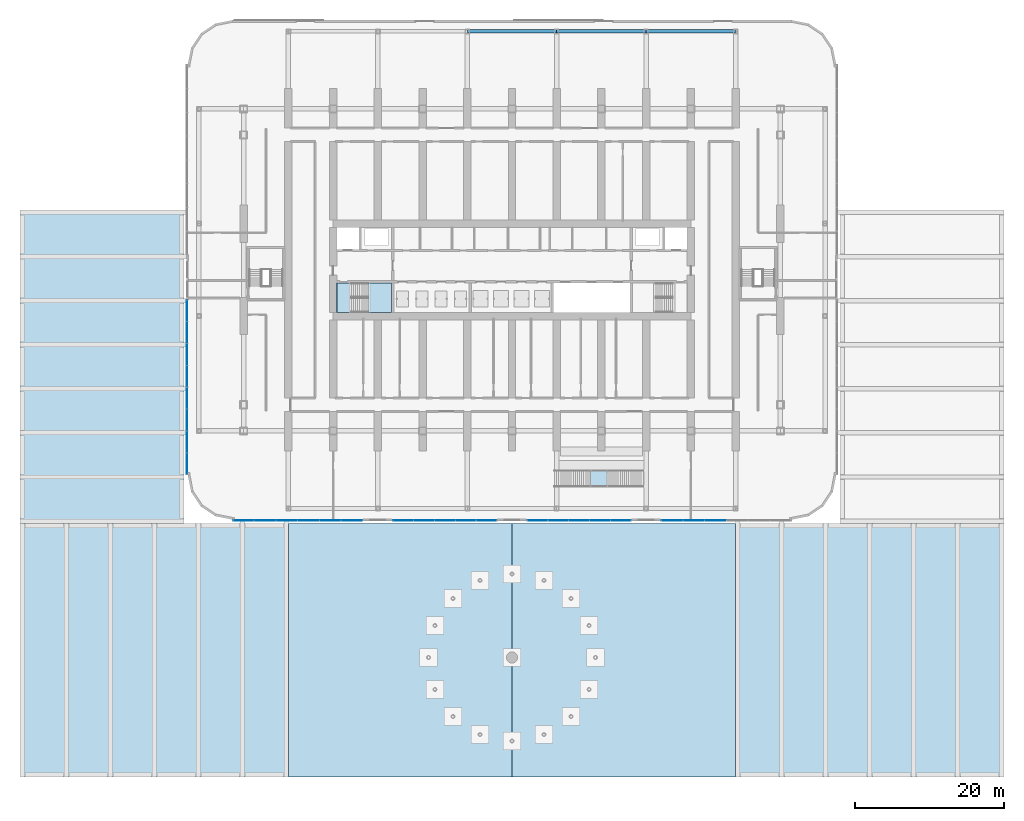
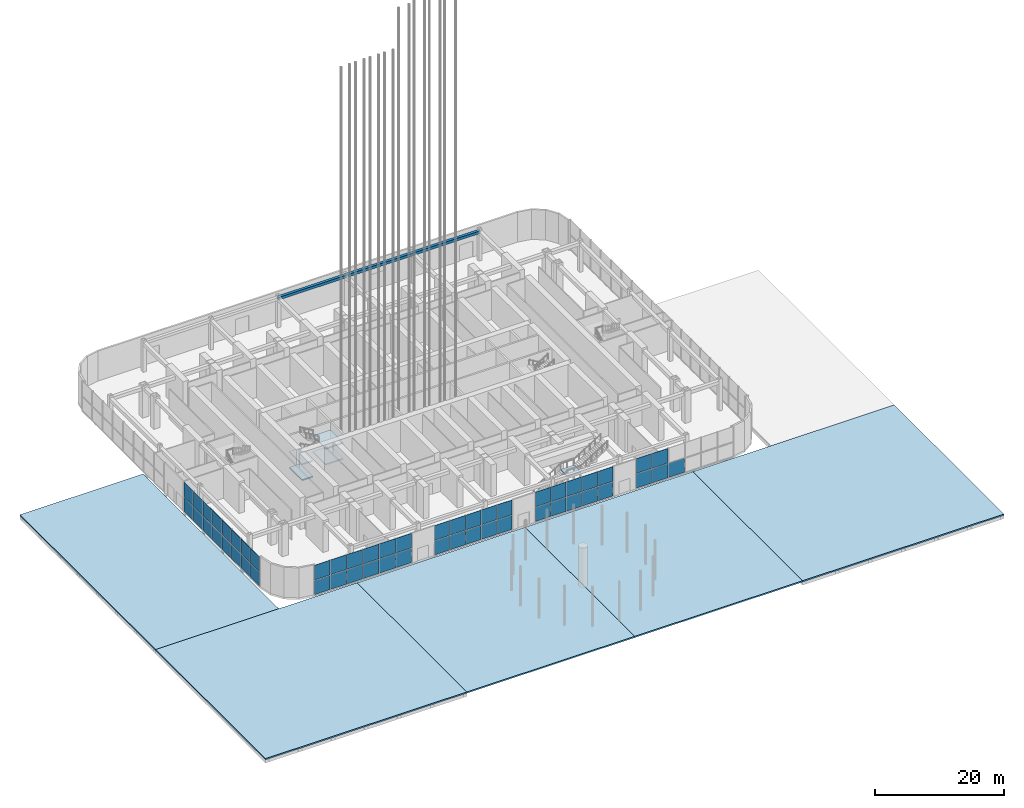
# One storey, part 14 of 57: 53 plates, 10 slabs, 3 beams, 7 elements without a shape of their own.
"""IFC4 building model written with IfcOpenShell, lengths in metres."""

import ifcopenshell
import ifcopenshell.guid

model = None  # the IFC model being written
_history = None  # IfcOwnerHistory: only IFC2X3 demands one
_inside = {}  # id of a spatial element -> (the spatial element, [elements in it])
_under = {}  # id of a project, library or spatial element -> (it, [spatial elements below it])
_declared = {}  # id of a project -> (the project, [libraries it declares])
_typed = {}  # id of a type object -> (the type object, [elements of that type])
_made_of = {}  # id of a material, layer set ... -> (it, [elements and type objects made of it])


def new_model(schema):
    """Start an empty IFC model of exactly this schema.

    Asked for "IFC4X3", IfcOpenShell would pick the latest addendum, in which some entities
    have other attributes; the version numbers below select the first issue.
    IFC2X3 requires an IfcOwnerHistory on every rooted entity: one is made here for all.
    """
    global model, _history
    if schema == "IFC4X3":
        model = ifcopenshell.file(schema_version=(4, 3, 0, 0))
    else:
        model = ifcopenshell.file(schema=schema)
    _inside.clear()
    _under.clear()
    _declared.clear()
    _typed.clear()
    _made_of.clear()
    _history = None
    if model.schema == "IFC2X3":
        org = make("IfcOrganization", Name="unknown")
        user = make(
            "IfcPersonAndOrganization",
            ThePerson=make("IfcPerson", FamilyName="unknown"),
            TheOrganization=org,
        )
        app = make(
            "IfcApplication",
            ApplicationDeveloper=org,
            Version="unknown",
            ApplicationFullName="unknown",
            ApplicationIdentifier="unknown",
        )
        _history = make(
            "IfcOwnerHistory",
            OwningUser=user,
            OwningApplication=app,
            ChangeAction="ADDED",
            CreationDate=0,
        )
    return model


def make(cls, **values):
    """One entity of the class cls with the attributes given. An attribute that is None is left unset."""
    return model.create_entity(
        cls, **{name: value for name, value in values.items() if value is not None}
    )


def rooted(cls, **values):
    """An entity with a GlobalId (a new one), such as an element, a storey or a relation."""
    return make(cls, GlobalId=ifcopenshell.guid.new(), OwnerHistory=_history, **values)


def si_unit(unit_type, name, prefix=None):
    """IfcSIUnit, for example si_unit("LENGTHUNIT", "METRE", prefix="MILLI")."""
    return make("IfcSIUnit", UnitType=unit_type, Prefix=prefix, Name=name)


def assignment(units):
    """IfcUnitAssignment: the units of a project."""
    return None if units is None else make("IfcUnitAssignment", Units=units)


def point(xyz):
    """IfcCartesianPoint."""
    return None if xyz is None else make("IfcCartesianPoint", Coordinates=xyz)


def direction(xyz):
    """IfcDirection."""
    return None if xyz is None else make("IfcDirection", DirectionRatios=xyz)


def frame(location, z_axis=None, x_axis=None):
    """IfcAxis2Placement3D, a coordinate frame: its origin and axes. An axis left out is left unset."""
    return make(
        "IfcAxis2Placement3D",
        Location=point(location),
        Axis=direction(z_axis),
        RefDirection=direction(x_axis),
    )


def frame_2d(location, x_axis=None):
    """IfcAxis2Placement2D, a coordinate frame in the plane: its origin and x axis."""
    return make(
        "IfcAxis2Placement2D", Location=point(location), RefDirection=direction(x_axis)
    )


def origin():
    """The frame at (0, 0, 0) with its axes left unset."""
    return frame((0.0, 0.0, 0.0))


def origin_2d():
    """The frame at (0, 0) in the plane with its x axis left unset."""
    return frame_2d((0.0, 0.0))


def place(relative_to, where):
    """IfcLocalPlacement: puts the frame where relative to a parent placement (None: the world)."""
    return make(
        "IfcLocalPlacement", PlacementRelTo=relative_to, RelativePlacement=where
    )


def context(
    kind, dimensions, precision=None, world=None, true_north=None, identifier=None
):
    """IfcGeometricRepresentationContext, for example the 3D "Model" context."""
    return make(
        "IfcGeometricRepresentationContext",
        ContextIdentifier=identifier,
        ContextType=kind,
        CoordinateSpaceDimension=dimensions,
        Precision=precision,
        WorldCoordinateSystem=world,
        TrueNorth=true_north,
    )


def subcontext(parent, identifier, kind, view, scale=None):
    """IfcGeometricRepresentationSubContext, for example "Body" below "Model"."""
    return make(
        "IfcGeometricRepresentationSubContext",
        ContextIdentifier=identifier,
        ContextType=kind,
        ParentContext=parent,
        TargetScale=scale,
        TargetView=view,
    )


def project(units=None, contexts=None):
    """IfcProject with its units and contexts."""
    return rooted(
        "IfcProject",
        Name="project",
        RepresentationContexts=contexts,
        UnitsInContext=assignment(units),
    )


def spatial(cls, under=None, at=None, **own):
    """A site, building, storey or space (cls), placed at a placement, below another one or the project."""
    s = rooted(cls, ObjectPlacement=at, **own)
    if under is not None:
        _under.setdefault(under.id(), (under, []))[1].append(s)
    return s


def polyline(points):
    """IfcPolyline through the points."""
    return make("IfcPolyline", Points=[point(p) for p in points])


def profile(cls, at=None, kind="AREA", **sizes):
    """A parametric profile (cls). Its sizes go by their IFC names, for example OverallWidth=200.0."""
    return make(cls, ProfileType=kind, Position=at, **sizes)


def rectangle(**sizes):
    """IfcRectangleProfileDef."""
    return profile("IfcRectangleProfileDef", **sizes)


def hollow_rectangle(**sizes):
    """IfcRectangleHollowProfileDef."""
    return profile("IfcRectangleHollowProfileDef", **sizes)


def outline(outer, holes=None, kind="AREA"):
    """IfcArbitraryClosedProfileDef: a profile drawn as a closed curve; with holes, ...WithVoids."""
    if holes is None:
        return make("IfcArbitraryClosedProfileDef", ProfileType=kind, OuterCurve=outer)
    return make(
        "IfcArbitraryProfileDefWithVoids",
        ProfileType=kind,
        OuterCurve=outer,
        InnerCurves=holes,
    )


def extrude(swept, where, along, depth):
    """IfcExtrudedAreaSolid: the profile swept, set in the frame where, extruded along a direction by depth."""
    return make(
        "IfcExtrudedAreaSolid",
        SweptArea=swept,
        Position=where,
        ExtrudedDirection=direction(along),
        Depth=depth,
    )


def shape(context_of_items, identifier, shape_type, items):
    """IfcShapeRepresentation: the items that make up one representation, for example the "Body"."""
    return make(
        "IfcShapeRepresentation",
        ContextOfItems=context_of_items,
        RepresentationIdentifier=identifier,
        RepresentationType=shape_type,
        Items=items,
    )


def material(Name=None, Category=None):
    """IfcMaterial."""
    return make("IfcMaterial", Name=Name, Category=Category)


def layer(
    of_material, thickness, ventilated=None, Name=None, Category=None, Priority=None
):
    """IfcMaterialLayer: one layer of a wall or slab, of a material (None: an air gap)."""
    return make(
        "IfcMaterialLayer",
        Material=of_material,
        LayerThickness=thickness,
        IsVentilated=ventilated,
        Name=Name,
        Category=Category,
        Priority=Priority,
    )


def layer_set(layers, Name=None):
    """IfcMaterialLayerSet."""
    return make("IfcMaterialLayerSet", MaterialLayers=layers, LayerSetName=Name)


def material_profile(
    of_material, cross_section, Name=None, Category=None, Priority=None
):
    """IfcMaterialProfile: a cross section and its material."""
    return make(
        "IfcMaterialProfile",
        Name=Name,
        Material=of_material,
        Profile=cross_section,
        Priority=Priority,
        Category=Category,
    )


def profile_set(profiles, Name=None, composite=None):
    """IfcMaterialProfileSet."""
    return make(
        "IfcMaterialProfileSet",
        Name=Name,
        MaterialProfiles=profiles,
        CompositeProfile=composite,
    )


def made_of(thing, what):
    """Note that an element or type object is made of a material, layer set ...; save() writes the relation."""
    if what is not None:
        _made_of.setdefault(what.id(), (what, []))[1].append(thing)
    return thing


def type_object(cls, material=None, **own):
    """A type object (cls), such as IfcWallType, which elements share."""
    return made_of(rooted(cls, **own), material)


def element(
    cls,
    number,
    at=None,
    inside=None,
    cuts=None,
    type_object=None,
    material=None,
    context=None,
    identifier="Body",
    shape_type=None,
    held_by="IfcProductDefinitionShape",
    body=None,
    shapes=None,
    **own,
):
    """One element of the class cls, such as IfcWall. Its Tag is "e" and its number.

    at: its placement. inside: the storey or other place that contains it. cuts: it is an
    opening in that element (IfcRelVoidsElement). A single representation is given by context,
    identifier, shape_type and body (its items); several are given by shapes. held_by: the class
    of the entity that holds the representations. save() writes the other relations.
    """
    e = rooted(cls, Tag="e%d" % number, ObjectPlacement=at, **own)
    if body is not None:
        shapes = [shape(context, identifier, shape_type, body)]
    if shapes is not None:
        e.Representation = make(held_by, Representations=shapes)
    if inside is not None:
        _inside.setdefault(inside.id(), (inside, []))[1].append(e)
    if cuts is not None:
        rooted(
            "IfcRelVoidsElement", RelatingBuildingElement=cuts, RelatedOpeningElement=e
        )
    if type_object is not None:
        _typed.setdefault(type_object.id(), (type_object, []))[1].append(e)
    return made_of(e, material)


def aggregate(whole, parts):
    """IfcRelAggregates: a whole, such as a stair, and the parts it consists of."""
    return rooted("IfcRelAggregates", RelatingObject=whole, RelatedObjects=parts)


def save(model, path):
    """Write the relations noted so far, then the file.

    IfcRelAggregates (storeys below a building ...), IfcRelContainedInSpatialStructure (elements
    in a storey), IfcRelDefinesByType, IfcRelAssociatesMaterial and IfcRelDeclares: one each for
    every whole, place, type object, material and project.
    """
    for whole, parts in _under.values():
        aggregate(whole, parts)
    for where, things in _inside.values():
        rooted(
            "IfcRelContainedInSpatialStructure",
            RelatedElements=things,
            RelatingStructure=where,
        )
    for kind, things in _typed.values():
        rooted("IfcRelDefinesByType", RelatedObjects=things, RelatingType=kind)
    for what, things in _made_of.values():
        rooted("IfcRelAssociatesMaterial", RelatedObjects=things, RelatingMaterial=what)
    for by, libraries in _declared.values():
        rooted("IfcRelDeclares", RelatingContext=by, RelatedDefinitions=libraries)
    model.write(path)


model = new_model("IFC4")

# Units and contexts
model_context = context("Model", 3, precision=1e-05, world=origin(), true_north=direction((0.0, 1.0)))
body_context = subcontext(model_context, "Body", "Model", "MODEL_VIEW")
ifc_project = project(units=[si_unit("LENGTHUNIT", "METRE"), si_unit("AREAUNIT", "SQUARE_METRE"), si_unit("VOLUMEUNIT", "CUBIC_METRE"), si_unit("PLANEANGLEUNIT", "RADIAN"), si_unit("MASSUNIT", "GRAM", prefix="KILO")], contexts=[model_context])

# Site, building, storey
site_placement = place(None, origin())
site = spatial("IfcSite", under=ifc_project, at=site_placement, CompositionType="ELEMENT")
building_placement = place(site_placement, origin())
building = spatial("IfcBuilding", under=site, at=building_placement, Name="Orbita Commons", CompositionType="ELEMENT")
storey_placement = place(building_placement, origin())
storey = spatial("IfcBuildingStorey", under=building, at=storey_placement, Name="L00", CompositionType="ELEMENT", Elevation=0.0)

# Beams
ifc_material_1 = material(Name="Steel ASTM A572 Gr 50 welded plate", Category="steel")
ifc_material_profile = material_profile(ifc_material_1, hollow_rectangle(XDim=0.5, YDim=0.5, WallThickness=0.050048828125, at=origin_2d()), Name="BOX 500x500x50")
ifc_profile_set = profile_set([ifc_material_profile], Name="Steel ASTM A572 Gr 50 welded plate")
beam_type = type_object("IfcBeamType", Name="Steel edge beam BOX 500x500x50", PredefinedType="SPANDREL", material=ifc_profile_set)
for number, where, z_axis, x_axis, name in (
    (1, (36.0, 64.0, 5.39990234375), (1.0, 0.0, 0.0), (0.0, 1.0, 0.0), "Edge beam F 7-9 L00"),
    (2, (48.0, 64.0, 5.39990234375), (1.0, 0.0, 0.0), (0.0, 1.0, 0.0), "Edge beam F 9-11 L00"),
    (3, (60.0, 64.0, 5.39990234375), (1.0, 0.0, 0.0), (0.0, 1.0, 0.0), "Edge beam F 11-13 L00"),
):
    element("IfcBeam", number, at=place(storey_placement, frame(where, z_axis=z_axis, x_axis=x_axis)), inside=storey, type_object=beam_type, Name=name, PredefinedType="SPANDREL", context=body_context, shape_type="SweptSolid", body=[
        extrude(hollow_rectangle(XDim=0.5, YDim=0.5, WallThickness=0.050048828125, at=origin_2d()), origin(), (0.0, 0.0, 1.0), 12.0),
    ])

# Stair, slab
ifc_material_2 = material(Name="Steel ASTM A992 stringers, precast concrete C40/50 terrazzo treads", Category="concrete")
stair_type_1 = type_object("IfcStairType", Name="Feature stair 36 risers 167 x 280 x 2200", PredefinedType="STRAIGHT_RUN_STAIR", material=ifc_material_2)
stair_1_placement = place(storey_placement, origin())
stair_1 = element("IfcStair", 4, at=stair_1_placement, inside=storey, type_object=stair_type_1, Name="Grand stair L00 to L01", PredefinedType="STRAIGHT_RUN_STAIR")
ifc_material_3 = material(Name="Concrete C40/50", Category="concrete")
ifc_layer_1 = layer(ifc_material_3, 0.199951171875)
ifc_layer_set_1 = layer_set([ifc_layer_1], Name="Concrete C40/50")
slab_type_1 = type_object("IfcSlabType", Name="Feature stair landing 200", PredefinedType="LANDING", material=ifc_layer_set_1)
slab_1_placement = place(storey_placement, frame((0.0, 0.0, 2.800048828125)))
slab_1 = element("IfcSlab", 5, at=slab_1_placement, type_object=slab_type_1, Name="FS landing 1", PredefinedType="LANDING", context=body_context, shape_type="SweptSolid", body=[
    extrude(outline(polyline([(52.4599609375, 2.89990234375), (54.85009765625, 2.89990234375), (54.85009765625, 5.10009765625), (52.4599609375, 5.10009765625), (52.4599609375, 2.89990234375)])), origin(), (0.0, 0.0, 1.0), 0.199951171875),
])
aggregate(stair_1, [slab_1])

# Curtain wall, plates
ifc_material_4 = material(Name="Anodised aluminium frame, pale silver", Category="aluminium")
curtain_wall_type = type_object("IfcCurtainWallType", Name="Lobby curtain wall CW-L", PredefinedType="NOTDEFINED", material=ifc_material_4)
curtain_wall_1_placement = place(storey_placement, origin())
curtain_wall_1 = element("IfcCurtainWall", 6, at=curtain_wall_1_placement, inside=storey, type_object=curtain_wall_type, Name="Curtain wall S 1 L00", PredefinedType="NOTDEFINED")
ifc_material_5 = material(Name="Laminated glass", Category="glass")
ifc_layer_2 = layer(ifc_material_5, 0.0400390625)
ifc_layer_set_2 = layer_set([ifc_layer_2], Name="Laminated glass")
plate_type = type_object("IfcPlateType", Name="Lobby vision panel, laminated glass 40", PredefinedType="CURTAIN_PANEL", material=ifc_layer_set_2)
plate_1_placement = place(storey_placement, frame((5.978271484375, -1.610107421875, 0.10009765625), z_axis=(0.0, 0.0, 1.0), x_axis=(1.0, 0.0, 0.0)))
plate_1 = element("IfcPlate", 7, at=plate_1_placement, type_object=plate_type, Name="Panel 1.1 CW-L00-S0", PredefinedType="CURTAIN_PANEL", context=body_context, shape_type="SweptSolid", body=[
    extrude(rectangle(XDim=2.796630859375, YDim=0.0400390625, at=origin_2d()), origin(), (0.0, 0.0, 1.0), 2.675048828125),
])
plate_2_placement = place(storey_placement, frame((5.978271484375, -1.610107421875, 2.875), z_axis=(0.0, 0.0, 1.0), x_axis=(1.0, 0.0, 0.0)))
plate_2 = element("IfcPlate", 8, at=plate_2_placement, type_object=plate_type, Name="Panel 1.2 CW-L00-S0", PredefinedType="CURTAIN_PANEL", context=body_context, shape_type="SweptSolid", body=[
    extrude(rectangle(XDim=2.796630859375, YDim=0.0400390625, at=origin_2d()), origin(), (0.0, 0.0, 1.0), 2.77490234375),
])
plate_3_placement = place(storey_placement, frame((8.875, -1.610107421875, 0.10009765625), z_axis=(0.0, 0.0, 1.0), x_axis=(1.0, 0.0, 0.0)))
plate_3 = element("IfcPlate", 9, at=plate_3_placement, type_object=plate_type, Name="Panel 2.1 CW-L00-S0", PredefinedType="CURTAIN_PANEL", context=body_context, shape_type="SweptSolid", body=[
    extrude(rectangle(XDim=2.836669921875, YDim=0.0400390625, at=origin_2d()), origin(), (0.0, 0.0, 1.0), 2.675048828125),
])
plate_4_placement = place(storey_placement, frame((8.875, -1.610107421875, 2.875), z_axis=(0.0, 0.0, 1.0), x_axis=(1.0, 0.0, 0.0)))
plate_4 = element("IfcPlate", 10, at=plate_4_placement, type_object=plate_type, Name="Panel 2.2 CW-L00-S0", PredefinedType="CURTAIN_PANEL", context=body_context, shape_type="SweptSolid", body=[
    extrude(rectangle(XDim=2.836669921875, YDim=0.0400390625, at=origin_2d()), origin(), (0.0, 0.0, 1.0), 2.77490234375),
])
plate_5_placement = place(storey_placement, frame((11.791748046875, -1.610107421875, 0.10009765625), z_axis=(0.0, 0.0, 1.0), x_axis=(1.0, 0.0, 0.0)))
plate_5 = element("IfcPlate", 11, at=plate_5_placement, type_object=plate_type, Name="Panel 3.1 CW-L00-S0", PredefinedType="CURTAIN_PANEL", context=body_context, shape_type="SweptSolid", body=[
    extrude(rectangle(XDim=2.836669921875, YDim=0.0400390625, at=origin_2d()), origin(), (0.0, 0.0, 1.0), 2.675048828125),
])
plate_6_placement = place(storey_placement, frame((11.791748046875, -1.610107421875, 2.875), z_axis=(0.0, 0.0, 1.0), x_axis=(1.0, 0.0, 0.0)))
plate_6 = element("IfcPlate", 12, at=plate_6_placement, type_object=plate_type, Name="Panel 3.2 CW-L00-S0", PredefinedType="CURTAIN_PANEL", context=body_context, shape_type="SweptSolid", body=[
    extrude(rectangle(XDim=2.836669921875, YDim=0.0400390625, at=origin_2d()), origin(), (0.0, 0.0, 1.0), 2.77490234375),
])
plate_7_placement = place(storey_placement, frame((14.708251953125, -1.610107421875, 0.10009765625), z_axis=(0.0, 0.0, 1.0), x_axis=(1.0, 0.0, 0.0)))
plate_7 = element("IfcPlate", 13, at=plate_7_placement, type_object=plate_type, Name="Panel 4.1 CW-L00-S0", PredefinedType="CURTAIN_PANEL", context=body_context, shape_type="SweptSolid", body=[
    extrude(rectangle(XDim=2.836669921875, YDim=0.0400390625, at=origin_2d()), origin(), (0.0, 0.0, 1.0), 2.675048828125),
])
plate_8_placement = place(storey_placement, frame((14.708251953125, -1.610107421875, 2.875), z_axis=(0.0, 0.0, 1.0), x_axis=(1.0, 0.0, 0.0)))
plate_8 = element("IfcPlate", 14, at=plate_8_placement, type_object=plate_type, Name="Panel 4.2 CW-L00-S0", PredefinedType="CURTAIN_PANEL", context=body_context, shape_type="SweptSolid", body=[
    extrude(rectangle(XDim=2.836669921875, YDim=0.0400390625, at=origin_2d()), origin(), (0.0, 0.0, 1.0), 2.77490234375),
])
plate_9_placement = place(storey_placement, frame((17.625, -1.610107421875, 0.10009765625), z_axis=(0.0, 0.0, 1.0), x_axis=(1.0, 0.0, 0.0)))
plate_9 = element("IfcPlate", 15, at=plate_9_placement, type_object=plate_type, Name="Panel 5.1 CW-L00-S0", PredefinedType="CURTAIN_PANEL", context=body_context, shape_type="SweptSolid", body=[
    extrude(rectangle(XDim=2.836669921875, YDim=0.0400390625, at=origin_2d()), origin(), (0.0, 0.0, 1.0), 2.675048828125),
])
plate_10_placement = place(storey_placement, frame((17.625, -1.610107421875, 2.875), z_axis=(0.0, 0.0, 1.0), x_axis=(1.0, 0.0, 0.0)))
plate_10 = element("IfcPlate", 16, at=plate_10_placement, type_object=plate_type, Name="Panel 5.2 CW-L00-S0", PredefinedType="CURTAIN_PANEL", context=body_context, shape_type="SweptSolid", body=[
    extrude(rectangle(XDim=2.836669921875, YDim=0.0400390625, at=origin_2d()), origin(), (0.0, 0.0, 1.0), 2.77490234375),
])
plate_11_placement = place(storey_placement, frame((20.521728515625, -1.610107421875, 0.10009765625), z_axis=(0.0, 0.0, 1.0), x_axis=(1.0, 0.0, 0.0)))
plate_11 = element("IfcPlate", 17, at=plate_11_placement, type_object=plate_type, Name="Panel 6.1 CW-L00-S0", PredefinedType="CURTAIN_PANEL", context=body_context, shape_type="SweptSolid", body=[
    extrude(rectangle(XDim=2.796630859375, YDim=0.0400390625, at=origin_2d()), origin(), (0.0, 0.0, 1.0), 2.675048828125),
])
plate_12_placement = place(storey_placement, frame((20.521728515625, -1.610107421875, 2.875), z_axis=(0.0, 0.0, 1.0), x_axis=(1.0, 0.0, 0.0)))
plate_12 = element("IfcPlate", 18, at=plate_12_placement, type_object=plate_type, Name="Panel 6.2 CW-L00-S0", PredefinedType="CURTAIN_PANEL", context=body_context, shape_type="SweptSolid", body=[
    extrude(rectangle(XDim=2.796630859375, YDim=0.0400390625, at=origin_2d()), origin(), (0.0, 0.0, 1.0), 2.77490234375),
])
aggregate(curtain_wall_1, [plate_1, plate_2, plate_3, plate_4, plate_5, plate_6, plate_7, plate_8, plate_9, plate_10, plate_11, plate_12])

curtain_wall_2_placement = place(storey_placement, origin())
curtain_wall_2 = element("IfcCurtainWall", 19, at=curtain_wall_2_placement, inside=storey, type_object=curtain_wall_type, Name="Curtain wall S 2 L00", PredefinedType="NOTDEFINED")
plate_13_placement = place(storey_placement, frame((27.419921875, -1.610107421875, 0.10009765625), z_axis=(0.0, 0.0, 1.0), x_axis=(1.0, 0.0, 0.0)))
plate_13 = element("IfcPlate", 20, at=plate_13_placement, type_object=plate_type, Name="Panel 1.1 CW-L00-S1", PredefinedType="CURTAIN_PANEL", context=body_context, shape_type="SweptSolid", body=[
    extrude(rectangle(XDim=2.679931640625, YDim=0.0400390625, at=origin_2d()), origin(), (0.0, 0.0, 1.0), 2.675048828125),
])
plate_14_placement = place(storey_placement, frame((27.419921875, -1.610107421875, 2.875), z_axis=(0.0, 0.0, 1.0), x_axis=(1.0, 0.0, 0.0)))
plate_14 = element("IfcPlate", 21, at=plate_14_placement, type_object=plate_type, Name="Panel 1.2 CW-L00-S1", PredefinedType="CURTAIN_PANEL", context=body_context, shape_type="SweptSolid", body=[
    extrude(rectangle(XDim=2.679931640625, YDim=0.0400390625, at=origin_2d()), origin(), (0.0, 0.0, 1.0), 2.77490234375),
])
plate_15_placement = place(storey_placement, frame((30.199951171875, -1.610107421875, 0.10009765625), z_axis=(0.0, 0.0, 1.0), x_axis=(1.0, 0.0, 0.0)))
plate_15 = element("IfcPlate", 22, at=plate_15_placement, type_object=plate_type, Name="Panel 2.1 CW-L00-S1", PredefinedType="CURTAIN_PANEL", context=body_context, shape_type="SweptSolid", body=[
    extrude(rectangle(XDim=2.719970703125, YDim=0.0400390625, at=origin_2d()), origin(), (0.0, 0.0, 1.0), 2.675048828125),
])
plate_16_placement = place(storey_placement, frame((30.199951171875, -1.610107421875, 2.875), z_axis=(0.0, 0.0, 1.0), x_axis=(1.0, 0.0, 0.0)))
plate_16 = element("IfcPlate", 23, at=plate_16_placement, type_object=plate_type, Name="Panel 2.2 CW-L00-S1", PredefinedType="CURTAIN_PANEL", context=body_context, shape_type="SweptSolid", body=[
    extrude(rectangle(XDim=2.719970703125, YDim=0.0400390625, at=origin_2d()), origin(), (0.0, 0.0, 1.0), 2.77490234375),
])
plate_17_placement = place(storey_placement, frame((33.0, -1.610107421875, 0.10009765625), z_axis=(0.0, 0.0, 1.0), x_axis=(1.0, 0.0, 0.0)))
plate_17 = element("IfcPlate", 24, at=plate_17_placement, type_object=plate_type, Name="Panel 3.1 CW-L00-S1", PredefinedType="CURTAIN_PANEL", context=body_context, shape_type="SweptSolid", body=[
    extrude(rectangle(XDim=2.719970703125, YDim=0.0400390625, at=origin_2d()), origin(), (0.0, 0.0, 1.0), 2.675048828125),
])
plate_18_placement = place(storey_placement, frame((33.0, -1.610107421875, 2.875), z_axis=(0.0, 0.0, 1.0), x_axis=(1.0, 0.0, 0.0)))
plate_18 = element("IfcPlate", 25, at=plate_18_placement, type_object=plate_type, Name="Panel 3.2 CW-L00-S1", PredefinedType="CURTAIN_PANEL", context=body_context, shape_type="SweptSolid", body=[
    extrude(rectangle(XDim=2.719970703125, YDim=0.0400390625, at=origin_2d()), origin(), (0.0, 0.0, 1.0), 2.77490234375),
])
plate_19_placement = place(storey_placement, frame((35.800048828125, -1.610107421875, 0.10009765625), z_axis=(0.0, 0.0, 1.0), x_axis=(1.0, 0.0, 0.0)))
plate_19 = element("IfcPlate", 26, at=plate_19_placement, type_object=plate_type, Name="Panel 4.1 CW-L00-S1", PredefinedType="CURTAIN_PANEL", context=body_context, shape_type="SweptSolid", body=[
    extrude(rectangle(XDim=2.719970703125, YDim=0.0400390625, at=origin_2d()), origin(), (0.0, 0.0, 1.0), 2.675048828125),
])
plate_20_placement = place(storey_placement, frame((35.800048828125, -1.610107421875, 2.875), z_axis=(0.0, 0.0, 1.0), x_axis=(1.0, 0.0, 0.0)))
plate_20 = element("IfcPlate", 27, at=plate_20_placement, type_object=plate_type, Name="Panel 4.2 CW-L00-S1", PredefinedType="CURTAIN_PANEL", context=body_context, shape_type="SweptSolid", body=[
    extrude(rectangle(XDim=2.719970703125, YDim=0.0400390625, at=origin_2d()), origin(), (0.0, 0.0, 1.0), 2.77490234375),
])
plate_21_placement = place(storey_placement, frame((38.580078125, -1.610107421875, 0.10009765625), z_axis=(0.0, 0.0, 1.0), x_axis=(1.0, 0.0, 0.0)))
plate_21 = element("IfcPlate", 28, at=plate_21_placement, type_object=plate_type, Name="Panel 5.1 CW-L00-S1", PredefinedType="CURTAIN_PANEL", context=body_context, shape_type="SweptSolid", body=[
    extrude(rectangle(XDim=2.679931640625, YDim=0.0400390625, at=origin_2d()), origin(), (0.0, 0.0, 1.0), 2.675048828125),
])
plate_22_placement = place(storey_placement, frame((38.580078125, -1.610107421875, 2.875), z_axis=(0.0, 0.0, 1.0), x_axis=(1.0, 0.0, 0.0)))
plate_22 = element("IfcPlate", 29, at=plate_22_placement, type_object=plate_type, Name="Panel 5.2 CW-L00-S1", PredefinedType="CURTAIN_PANEL", context=body_context, shape_type="SweptSolid", body=[
    extrude(rectangle(XDim=2.679931640625, YDim=0.0400390625, at=origin_2d()), origin(), (0.0, 0.0, 1.0), 2.77490234375),
])
aggregate(curtain_wall_2, [plate_13, plate_14, plate_15, plate_16, plate_17, plate_18, plate_19, plate_20, plate_21, plate_22])

curtain_wall_3_placement = place(storey_placement, origin())
curtain_wall_3 = element("IfcCurtainWall", 30, at=curtain_wall_3_placement, inside=storey, type_object=curtain_wall_type, Name="Curtain wall S 3 L00", PredefinedType="NOTDEFINED")
plate_23_placement = place(storey_placement, frame((45.419921875, -1.610107421875, 0.10009765625), z_axis=(0.0, 0.0, 1.0), x_axis=(1.0, 0.0, 0.0)))
plate_23 = element("IfcPlate", 31, at=plate_23_placement, type_object=plate_type, Name="Panel 1.1 CW-L00-S2", PredefinedType="CURTAIN_PANEL", context=body_context, shape_type="SweptSolid", body=[
    extrude(rectangle(XDim=2.679931640625, YDim=0.0400390625, at=origin_2d()), origin(), (0.0, 0.0, 1.0), 2.675048828125),
])
plate_24_placement = place(storey_placement, frame((45.419921875, -1.610107421875, 2.875), z_axis=(0.0, 0.0, 1.0), x_axis=(1.0, 0.0, 0.0)))
plate_24 = element("IfcPlate", 32, at=plate_24_placement, type_object=plate_type, Name="Panel 1.2 CW-L00-S2", PredefinedType="CURTAIN_PANEL", context=body_context, shape_type="SweptSolid", body=[
    extrude(rectangle(XDim=2.679931640625, YDim=0.0400390625, at=origin_2d()), origin(), (0.0, 0.0, 1.0), 2.77490234375),
])
plate_25_placement = place(storey_placement, frame((48.199951171875, -1.610107421875, 0.10009765625), z_axis=(0.0, 0.0, 1.0), x_axis=(1.0, 0.0, 0.0)))
plate_25 = element("IfcPlate", 33, at=plate_25_placement, type_object=plate_type, Name="Panel 2.1 CW-L00-S2", PredefinedType="CURTAIN_PANEL", context=body_context, shape_type="SweptSolid", body=[
    extrude(rectangle(XDim=2.719970703125, YDim=0.0400390625, at=origin_2d()), origin(), (0.0, 0.0, 1.0), 2.675048828125),
])
plate_26_placement = place(storey_placement, frame((48.199951171875, -1.610107421875, 2.875), z_axis=(0.0, 0.0, 1.0), x_axis=(1.0, 0.0, 0.0)))
plate_26 = element("IfcPlate", 34, at=plate_26_placement, type_object=plate_type, Name="Panel 2.2 CW-L00-S2", PredefinedType="CURTAIN_PANEL", context=body_context, shape_type="SweptSolid", body=[
    extrude(rectangle(XDim=2.719970703125, YDim=0.0400390625, at=origin_2d()), origin(), (0.0, 0.0, 1.0), 2.77490234375),
])
plate_27_placement = place(storey_placement, frame((51.0, -1.610107421875, 0.10009765625), z_axis=(0.0, 0.0, 1.0), x_axis=(1.0, 0.0, 0.0)))
plate_27 = element("IfcPlate", 35, at=plate_27_placement, type_object=plate_type, Name="Panel 3.1 CW-L00-S2", PredefinedType="CURTAIN_PANEL", context=body_context, shape_type="SweptSolid", body=[
    extrude(rectangle(XDim=2.719970703125, YDim=0.0400390625, at=origin_2d()), origin(), (0.0, 0.0, 1.0), 2.675048828125),
])
plate_28_placement = place(storey_placement, frame((51.0, -1.610107421875, 2.875), z_axis=(0.0, 0.0, 1.0), x_axis=(1.0, 0.0, 0.0)))
plate_28 = element("IfcPlate", 36, at=plate_28_placement, type_object=plate_type, Name="Panel 3.2 CW-L00-S2", PredefinedType="CURTAIN_PANEL", context=body_context, shape_type="SweptSolid", body=[
    extrude(rectangle(XDim=2.719970703125, YDim=0.0400390625, at=origin_2d()), origin(), (0.0, 0.0, 1.0), 2.77490234375),
])
plate_29_placement = place(storey_placement, frame((53.800048828125, -1.610107421875, 0.10009765625), z_axis=(0.0, 0.0, 1.0), x_axis=(1.0, 0.0, 0.0)))
plate_29 = element("IfcPlate", 37, at=plate_29_placement, type_object=plate_type, Name="Panel 4.1 CW-L00-S2", PredefinedType="CURTAIN_PANEL", context=body_context, shape_type="SweptSolid", body=[
    extrude(rectangle(XDim=2.719970703125, YDim=0.0400390625, at=origin_2d()), origin(), (0.0, 0.0, 1.0), 2.675048828125),
])
plate_30_placement = place(storey_placement, frame((53.800048828125, -1.610107421875, 2.875), z_axis=(0.0, 0.0, 1.0), x_axis=(1.0, 0.0, 0.0)))
plate_30 = element("IfcPlate", 38, at=plate_30_placement, type_object=plate_type, Name="Panel 4.2 CW-L00-S2", PredefinedType="CURTAIN_PANEL", context=body_context, shape_type="SweptSolid", body=[
    extrude(rectangle(XDim=2.719970703125, YDim=0.0400390625, at=origin_2d()), origin(), (0.0, 0.0, 1.0), 2.77490234375),
])
plate_31_placement = place(storey_placement, frame((56.580078125, -1.610107421875, 0.10009765625), z_axis=(0.0, 0.0, 1.0), x_axis=(1.0, 0.0, 0.0)))
plate_31 = element("IfcPlate", 39, at=plate_31_placement, type_object=plate_type, Name="Panel 5.1 CW-L00-S2", PredefinedType="CURTAIN_PANEL", context=body_context, shape_type="SweptSolid", body=[
    extrude(rectangle(XDim=2.679931640625, YDim=0.0400390625, at=origin_2d()), origin(), (0.0, 0.0, 1.0), 2.675048828125),
])
plate_32_placement = place(storey_placement, frame((56.580078125, -1.610107421875, 2.875), z_axis=(0.0, 0.0, 1.0), x_axis=(1.0, 0.0, 0.0)))
plate_32 = element("IfcPlate", 40, at=plate_32_placement, type_object=plate_type, Name="Panel 5.2 CW-L00-S2", PredefinedType="CURTAIN_PANEL", context=body_context, shape_type="SweptSolid", body=[
    extrude(rectangle(XDim=2.679931640625, YDim=0.0400390625, at=origin_2d()), origin(), (0.0, 0.0, 1.0), 2.77490234375),
])
aggregate(curtain_wall_3, [plate_23, plate_24, plate_25, plate_26, plate_27, plate_28, plate_29, plate_30, plate_31, plate_32])

curtain_wall_4_placement = place(storey_placement, origin())
curtain_wall_4 = element("IfcCurtainWall", 41, at=curtain_wall_4_placement, inside=storey, type_object=curtain_wall_type, Name="Curtain wall S 4 L00", PredefinedType="NOTDEFINED")
plate_33_placement = place(storey_placement, frame((63.478271484375, -1.610107421875, 0.10009765625), z_axis=(0.0, 0.0, 1.0), x_axis=(1.0, 0.0, 0.0)))
plate_33 = element("IfcPlate", 42, at=plate_33_placement, type_object=plate_type, Name="Panel 1.1 CW-L00-S3", PredefinedType="CURTAIN_PANEL", context=body_context, shape_type="SweptSolid", body=[
    extrude(rectangle(XDim=2.796630859375, YDim=0.0400390625, at=origin_2d()), origin(), (0.0, 0.0, 1.0), 2.675048828125),
])
plate_34_placement = place(storey_placement, frame((63.478271484375, -1.610107421875, 2.875), z_axis=(0.0, 0.0, 1.0), x_axis=(1.0, 0.0, 0.0)))
plate_34 = element("IfcPlate", 43, at=plate_34_placement, type_object=plate_type, Name="Panel 1.2 CW-L00-S3", PredefinedType="CURTAIN_PANEL", context=body_context, shape_type="SweptSolid", body=[
    extrude(rectangle(XDim=2.796630859375, YDim=0.0400390625, at=origin_2d()), origin(), (0.0, 0.0, 1.0), 2.77490234375),
])
plate_35_placement = place(storey_placement, frame((66.375, -1.610107421875, 0.10009765625), z_axis=(0.0, 0.0, 1.0), x_axis=(1.0, 0.0, 0.0)))
plate_35 = element("IfcPlate", 44, at=plate_35_placement, type_object=plate_type, Name="Panel 2.1 CW-L00-S3", PredefinedType="CURTAIN_PANEL", context=body_context, shape_type="SweptSolid", body=[
    extrude(rectangle(XDim=2.836669921875, YDim=0.0400390625, at=origin_2d()), origin(), (0.0, 0.0, 1.0), 2.675048828125),
])
plate_36_placement = place(storey_placement, frame((66.375, -1.610107421875, 2.875), z_axis=(0.0, 0.0, 1.0), x_axis=(1.0, 0.0, 0.0)))
plate_36 = element("IfcPlate", 45, at=plate_36_placement, type_object=plate_type, Name="Panel 2.2 CW-L00-S3", PredefinedType="CURTAIN_PANEL", context=body_context, shape_type="SweptSolid", body=[
    extrude(rectangle(XDim=2.836669921875, YDim=0.0400390625, at=origin_2d()), origin(), (0.0, 0.0, 1.0), 2.77490234375),
])
plate_37_placement = place(storey_placement, frame((69.291748046875, -1.610107421875, 0.10009765625), z_axis=(0.0, 0.0, 1.0), x_axis=(1.0, 0.0, 0.0)))
plate_37 = element("IfcPlate", 46, at=plate_37_placement, type_object=plate_type, Name="Panel 3.1 CW-L00-S3", PredefinedType="CURTAIN_PANEL", context=body_context, shape_type="SweptSolid", body=[
    extrude(rectangle(XDim=2.836669921875, YDim=0.0400390625, at=origin_2d()), origin(), (0.0, 0.0, 1.0), 2.675048828125),
])
aggregate(curtain_wall_4, [plate_33, plate_34, plate_35, plate_36, plate_37])

curtain_wall_5_placement = place(storey_placement, origin())
curtain_wall_5 = element("IfcCurtainWall", 47, at=curtain_wall_5_placement, inside=storey, type_object=curtain_wall_type, Name="Curtain wall W 2 L00", PredefinedType="NOTDEFINED")
plate_38_placement = place(storey_placement, frame((-1.610107421875, 26.51123046875, 0.10009765625), z_axis=(0.0, 0.0, 1.0), x_axis=(0.0, -1.0, 0.0)))
plate_38 = element("IfcPlate", 48, at=plate_38_placement, type_object=plate_type, Name="Panel 1.1 CW-L00-W1", PredefinedType="CURTAIN_PANEL", context=body_context, shape_type="SweptSolid", body=[
    extrude(rectangle(XDim=2.8173828125, YDim=0.0400390625, at=origin_2d()), origin(), (0.0, 0.0, 1.0), 2.675048828125),
])
plate_39_placement = place(storey_placement, frame((-1.610107421875, 26.51123046875, 2.875), z_axis=(0.0, 0.0, 1.0), x_axis=(0.0, -1.0, 0.0)))
plate_39 = element("IfcPlate", 49, at=plate_39_placement, type_object=plate_type, Name="Panel 1.2 CW-L00-W1", PredefinedType="CURTAIN_PANEL", context=body_context, shape_type="SweptSolid", body=[
    extrude(rectangle(XDim=2.8173828125, YDim=0.0400390625, at=origin_2d()), origin(), (0.0, 0.0, 1.0), 2.77490234375),
])
plate_40_placement = place(storey_placement, frame((-1.610107421875, 23.59375, 0.10009765625), z_axis=(0.0, 0.0, 1.0), x_axis=(0.0, -1.0, 0.0)))
plate_40 = element("IfcPlate", 50, at=plate_40_placement, type_object=plate_type, Name="Panel 2.1 CW-L00-W1", PredefinedType="CURTAIN_PANEL", context=body_context, shape_type="SweptSolid", body=[
    extrude(rectangle(XDim=2.857421875, YDim=0.0400390625, at=origin_2d()), origin(), (0.0, 0.0, 1.0), 2.675048828125),
])
plate_41_placement = place(storey_placement, frame((-1.610107421875, 23.59375, 2.875), z_axis=(0.0, 0.0, 1.0), x_axis=(0.0, -1.0, 0.0)))
plate_41 = element("IfcPlate", 51, at=plate_41_placement, type_object=plate_type, Name="Panel 2.2 CW-L00-W1", PredefinedType="CURTAIN_PANEL", context=body_context, shape_type="SweptSolid", body=[
    extrude(rectangle(XDim=2.857421875, YDim=0.0400390625, at=origin_2d()), origin(), (0.0, 0.0, 1.0), 2.77490234375),
])
plate_42_placement = place(storey_placement, frame((-1.610107421875, 20.65625, 0.10009765625), z_axis=(0.0, 0.0, 1.0), x_axis=(0.0, -1.0, 0.0)))
plate_42 = element("IfcPlate", 52, at=plate_42_placement, type_object=plate_type, Name="Panel 3.1 CW-L00-W1", PredefinedType="CURTAIN_PANEL", context=body_context, shape_type="SweptSolid", body=[
    extrude(rectangle(XDim=2.857421875, YDim=0.0400390625, at=origin_2d()), origin(), (0.0, 0.0, 1.0), 2.675048828125),
])
plate_43_placement = place(storey_placement, frame((-1.610107421875, 20.65625, 2.875), z_axis=(0.0, 0.0, 1.0), x_axis=(0.0, -1.0, 0.0)))
plate_43 = element("IfcPlate", 53, at=plate_43_placement, type_object=plate_type, Name="Panel 3.2 CW-L00-W1", PredefinedType="CURTAIN_PANEL", context=body_context, shape_type="SweptSolid", body=[
    extrude(rectangle(XDim=2.857421875, YDim=0.0400390625, at=origin_2d()), origin(), (0.0, 0.0, 1.0), 2.77490234375),
])
plate_44_placement = place(storey_placement, frame((-1.610107421875, 17.71875, 0.10009765625), z_axis=(0.0, 0.0, 1.0), x_axis=(0.0, -1.0, 0.0)))
plate_44 = element("IfcPlate", 54, at=plate_44_placement, type_object=plate_type, Name="Panel 4.1 CW-L00-W1", PredefinedType="CURTAIN_PANEL", context=body_context, shape_type="SweptSolid", body=[
    extrude(rectangle(XDim=2.857421875, YDim=0.0400390625, at=origin_2d()), origin(), (0.0, 0.0, 1.0), 2.675048828125),
])
plate_45_placement = place(storey_placement, frame((-1.610107421875, 17.71875, 2.875), z_axis=(0.0, 0.0, 1.0), x_axis=(0.0, -1.0, 0.0)))
plate_45 = element("IfcPlate", 55, at=plate_45_placement, type_object=plate_type, Name="Panel 4.2 CW-L00-W1", PredefinedType="CURTAIN_PANEL", context=body_context, shape_type="SweptSolid", body=[
    extrude(rectangle(XDim=2.857421875, YDim=0.0400390625, at=origin_2d()), origin(), (0.0, 0.0, 1.0), 2.77490234375),
])
plate_46_placement = place(storey_placement, frame((-1.610107421875, 14.78125, 0.10009765625), z_axis=(0.0, 0.0, 1.0), x_axis=(0.0, -1.0, 0.0)))
plate_46 = element("IfcPlate", 56, at=plate_46_placement, type_object=plate_type, Name="Panel 5.1 CW-L00-W1", PredefinedType="CURTAIN_PANEL", context=body_context, shape_type="SweptSolid", body=[
    extrude(rectangle(XDim=2.857421875, YDim=0.0400390625, at=origin_2d()), origin(), (0.0, 0.0, 1.0), 2.675048828125),
])
plate_47_placement = place(storey_placement, frame((-1.610107421875, 14.78125, 2.875), z_axis=(0.0, 0.0, 1.0), x_axis=(0.0, -1.0, 0.0)))
plate_47 = element("IfcPlate", 57, at=plate_47_placement, type_object=plate_type, Name="Panel 5.2 CW-L00-W1", PredefinedType="CURTAIN_PANEL", context=body_context, shape_type="SweptSolid", body=[
    extrude(rectangle(XDim=2.857421875, YDim=0.0400390625, at=origin_2d()), origin(), (0.0, 0.0, 1.0), 2.77490234375),
])
plate_48_placement = place(storey_placement, frame((-1.610107421875, 11.84375, 0.10009765625), z_axis=(0.0, 0.0, 1.0), x_axis=(0.0, -1.0, 0.0)))
plate_48 = element("IfcPlate", 58, at=plate_48_placement, type_object=plate_type, Name="Panel 6.1 CW-L00-W1", PredefinedType="CURTAIN_PANEL", context=body_context, shape_type="SweptSolid", body=[
    extrude(rectangle(XDim=2.857421875, YDim=0.0400390625, at=origin_2d()), origin(), (0.0, 0.0, 1.0), 2.675048828125),
])
plate_49_placement = place(storey_placement, frame((-1.610107421875, 11.84375, 2.875), z_axis=(0.0, 0.0, 1.0), x_axis=(0.0, -1.0, 0.0)))
plate_49 = element("IfcPlate", 59, at=plate_49_placement, type_object=plate_type, Name="Panel 6.2 CW-L00-W1", PredefinedType="CURTAIN_PANEL", context=body_context, shape_type="SweptSolid", body=[
    extrude(rectangle(XDim=2.857421875, YDim=0.0400390625, at=origin_2d()), origin(), (0.0, 0.0, 1.0), 2.77490234375),
])
plate_50_placement = place(storey_placement, frame((-1.610107421875, 8.90625, 0.10009765625), z_axis=(0.0, 0.0, 1.0), x_axis=(0.0, -1.0, 0.0)))
plate_50 = element("IfcPlate", 60, at=plate_50_placement, type_object=plate_type, Name="Panel 7.1 CW-L00-W1", PredefinedType="CURTAIN_PANEL", context=body_context, shape_type="SweptSolid", body=[
    extrude(rectangle(XDim=2.857421875, YDim=0.0400390625, at=origin_2d()), origin(), (0.0, 0.0, 1.0), 2.675048828125),
])
plate_51_placement = place(storey_placement, frame((-1.610107421875, 8.90625, 2.875), z_axis=(0.0, 0.0, 1.0), x_axis=(0.0, -1.0, 0.0)))
plate_51 = element("IfcPlate", 61, at=plate_51_placement, type_object=plate_type, Name="Panel 7.2 CW-L00-W1", PredefinedType="CURTAIN_PANEL", context=body_context, shape_type="SweptSolid", body=[
    extrude(rectangle(XDim=2.857421875, YDim=0.0400390625, at=origin_2d()), origin(), (0.0, 0.0, 1.0), 2.77490234375),
])
plate_52_placement = place(storey_placement, frame((-1.610107421875, 5.98876953125, 0.10009765625), z_axis=(0.0, 0.0, 1.0), x_axis=(0.0, -1.0, 0.0)))
plate_52 = element("IfcPlate", 62, at=plate_52_placement, type_object=plate_type, Name="Panel 8.1 CW-L00-W1", PredefinedType="CURTAIN_PANEL", context=body_context, shape_type="SweptSolid", body=[
    extrude(rectangle(XDim=2.8173828125, YDim=0.0400390625, at=origin_2d()), origin(), (0.0, 0.0, 1.0), 2.675048828125),
])
plate_53_placement = place(storey_placement, frame((-1.610107421875, 5.98876953125, 2.875), z_axis=(0.0, 0.0, 1.0), x_axis=(0.0, -1.0, 0.0)))
plate_53 = element("IfcPlate", 63, at=plate_53_placement, type_object=plate_type, Name="Panel 8.2 CW-L00-W1", PredefinedType="CURTAIN_PANEL", context=body_context, shape_type="SweptSolid", body=[
    extrude(rectangle(XDim=2.8173828125, YDim=0.0400390625, at=origin_2d()), origin(), (0.0, 0.0, 1.0), 2.77490234375),
])
aggregate(curtain_wall_5, [plate_38, plate_39, plate_40, plate_41, plate_42, plate_43, plate_44, plate_45, plate_46, plate_47, plate_48, plate_49, plate_50, plate_51, plate_52, plate_53])

# Slabs
ifc_material_6 = material(Name="Granite setts on Concrete C40/50 base", Category="masonry")
ifc_layer_3 = layer(ifc_material_6, 0.25)
ifc_layer_set_3 = layer_set([ifc_layer_3], Name="Granite setts on Concrete C40/50 base")
slab_type_2 = type_object("IfcSlabType", Name="Plaza paving slab, granite setts on concrete base 250", PredefinedType="BASESLAB", material=ifc_layer_set_3)
slab_2_placement = place(storey_placement, frame((0.0, 0.0, -0.25)))
element("IfcSlab", 64, at=slab_2_placement, inside=storey, type_object=slab_type_2, Name="Plaza paving field 1", PredefinedType="BASESLAB", context=body_context, shape_type="SweptSolid", body=[
    extrude(outline(polyline([(12.0, -36.0), (-24.0, -36.0), (-24.0, -2.0), (4.5, -2.0), (12.0, -2.0), (12.0, -36.0)])), origin(), (0.0, 0.0, 1.0), 0.25),
])
slab_3_placement = place(storey_placement, frame((0.0, 0.0, -0.25)))
element("IfcSlab", 65, at=slab_3_placement, inside=storey, type_object=slab_type_2, Name="Plaza paving field 2", PredefinedType="BASESLAB", context=body_context, shape_type="SweptSolid", body=[
    extrude(outline(polyline([(42.0, -36.0), (12.0, -36.0), (12.0, -2.0), (42.0, -2.0), (42.0, -36.0)])), origin(), (0.0, 0.0, 1.0), 0.25),
])
slab_4_placement = place(storey_placement, frame((0.0, 0.0, -0.25)))
element("IfcSlab", 66, at=slab_4_placement, inside=storey, type_object=slab_type_2, Name="Plaza paving field 3", PredefinedType="BASESLAB", context=body_context, shape_type="SweptSolid", body=[
    extrude(outline(polyline([(72.0, -36.0), (42.0, -36.0), (42.0, -2.0), (72.0, -2.0), (72.0, -36.0)])), origin(), (0.0, 0.0, 1.0), 0.25),
])
slab_5_placement = place(storey_placement, frame((0.0, 0.0, -0.25)))
element("IfcSlab", 67, at=slab_5_placement, inside=storey, type_object=slab_type_2, Name="Plaza paving field 4", PredefinedType="BASESLAB", context=body_context, shape_type="SweptSolid", body=[
    extrude(outline(polyline([(108.0, -2.0), (108.0, -36.0), (72.0, -36.0), (72.0, -2.0), (79.5, -2.0), (108.0, -2.0)])), origin(), (0.0, 0.0, 1.0), 0.25),
])
slab_6_placement = place(storey_placement, frame((0.0, 0.0, -0.25)))
element("IfcSlab", 68, at=slab_6_placement, inside=storey, type_object=slab_type_2, Name="Plaza paving field 5", PredefinedType="BASESLAB", context=body_context, shape_type="SweptSolid", body=[
    extrude(outline(polyline([(-2.0, -2.0), (-24.0, -2.0), (-24.0, 40.0), (-2.0, 40.0), (-2.0, 4.5), (-2.0, -2.0)])), origin(), (0.0, 0.0, 1.0), 0.25),
])

# Stair, slabs
ifc_material_7 = material(Name="Precast concrete C40/50", Category="concrete")
stair_type_2 = type_object("IfcStairType", Name="Exit stair S1 4 flights 9 risers 167", PredefinedType="HALF_TURN_STAIR", material=ifc_material_7)
stair_2_placement = place(storey_placement, origin())
stair_2 = element("IfcStair", 69, at=stair_2_placement, inside=storey, type_object=stair_type_2, Name="Exit stair S1 L00", PredefinedType="HALF_TURN_STAIR")
ifc_material_8 = material(Name="Concrete C40/50", Category="concrete")
ifc_layer_4 = layer(ifc_material_8, 0.199951171875)
ifc_layer_set_4 = layer_set([ifc_layer_4], Name="Concrete C40/50")
slab_type_3 = type_object("IfcSlabType", Name="Stair landing 200", PredefinedType="LANDING", material=ifc_layer_set_4)
slab_7_placement = place(storey_placement, frame((0.0, 0.0, -0.199951171875)))
slab_7 = element("IfcSlab", 70, at=slab_7_placement, type_object=slab_type_3, Name="S1 landing 1", PredefinedType="LANDING", context=body_context, shape_type="SweptSolid", body=[
    extrude(outline(polyline([(18.5, 26.300048828125), (20.449951171875, 26.300048828125), (20.449951171875, 30.25), (18.5, 30.25), (18.5, 26.300048828125)])), origin(), (0.0, 0.0, 1.0), 0.199951171875),
])
slab_8_placement = place(storey_placement, frame((0.0, 0.0, 1.300048828125)))
slab_8 = element("IfcSlab", 71, at=slab_8_placement, type_object=slab_type_3, Name="S1 landing 2", PredefinedType="LANDING", context=body_context, shape_type="SweptSolid", body=[
    extrude(outline(polyline([(22.68994140625, 26.284912109375), (25.864990234375, 26.284912109375), (25.864990234375, 30.264892578125), (22.68994140625, 30.264892578125), (22.68994140625, 26.284912109375)])), origin(), (0.0, 0.0, 1.0), 0.199951171875),
])
slab_9_placement = place(storey_placement, frame((0.0, 0.0, 2.800048828125)))
slab_9 = element("IfcSlab", 72, at=slab_9_placement, type_object=slab_type_3, Name="S1 landing 3", PredefinedType="LANDING", context=body_context, shape_type="SweptSolid", body=[
    extrude(outline(polyline([(18.485107421875, 26.284912109375), (20.449951171875, 26.284912109375), (20.449951171875, 30.264892578125), (18.485107421875, 30.264892578125), (18.485107421875, 26.284912109375)])), origin(), (0.0, 0.0, 1.0), 0.199951171875),
])
slab_10_placement = place(storey_placement, frame((0.0, 0.0, 4.300048828125)))
slab_10 = element("IfcSlab", 73, at=slab_10_placement, type_object=slab_type_3, Name="S1 landing 4", PredefinedType="LANDING", context=body_context, shape_type="SweptSolid", body=[
    extrude(outline(polyline([(22.68994140625, 26.284912109375), (25.864990234375, 26.284912109375), (25.864990234375, 30.264892578125), (22.68994140625, 30.264892578125), (22.68994140625, 26.284912109375)])), origin(), (0.0, 0.0, 1.0), 0.199951171875),
])
aggregate(stair_2, [slab_7, slab_8, slab_9, slab_10])

save(model, "model.ifc")
